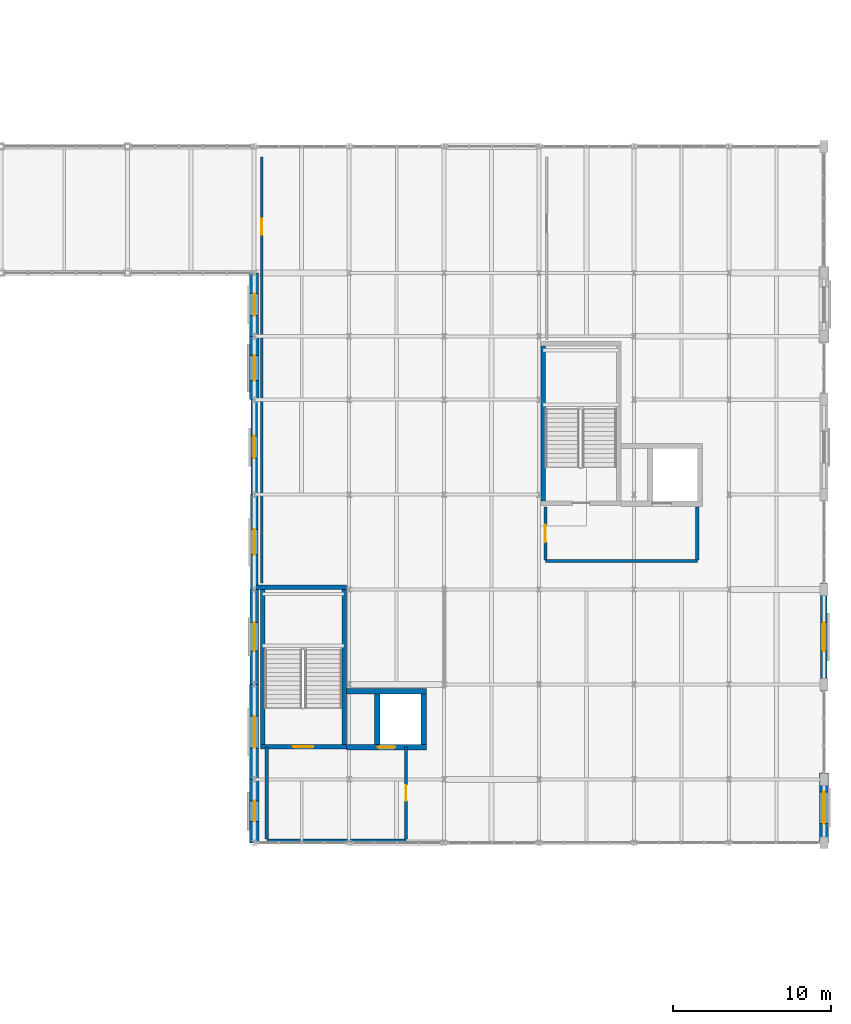
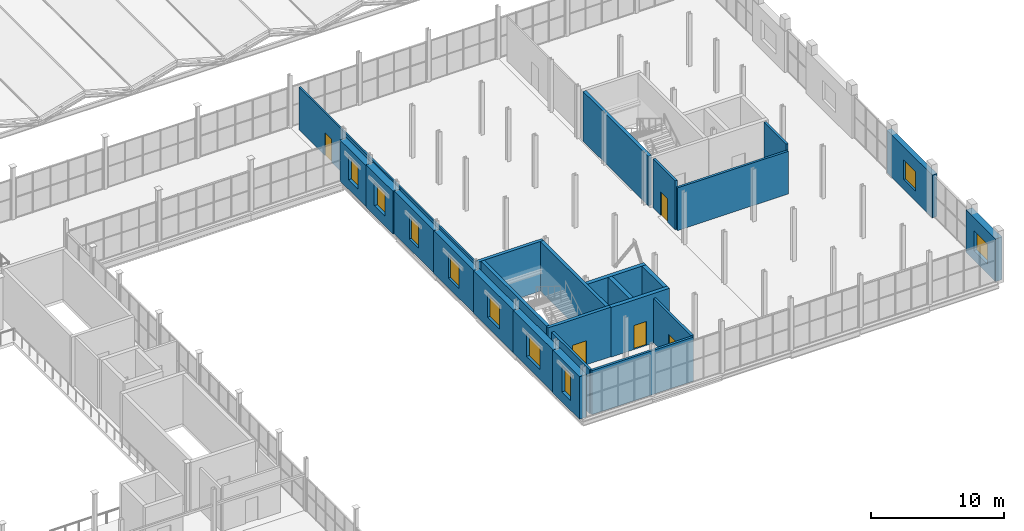
# One storey, part 102 of 114: 25 walls, 9 windows, 5 doors, 14 openings.
"""IFC4 building model written with IfcOpenShell, lengths in metres."""

from ifc_helpers import new_model, si_unit, direction, frame, frame_2d, origin, place, context, subcontext, project, spatial, rectangle, extrude, material, layer, layer_set, type_object, element, fill, save


model = new_model("IFC4")

# Units and contexts
model_context = context("Model", 3, precision=1e-05, world=origin(), true_north=direction((0.0, 1.0)))
body_context = subcontext(model_context, "Body", "Model", "MODEL_VIEW")
ifc_project = project(units=[si_unit("LENGTHUNIT", "METRE"), si_unit("AREAUNIT", "SQUARE_METRE"), si_unit("VOLUMEUNIT", "CUBIC_METRE"), si_unit("PLANEANGLEUNIT", "RADIAN"), si_unit("MASSUNIT", "GRAM", prefix="KILO")], contexts=[model_context])

# Site, building, storey
site_placement = place(None, origin())
site = spatial("IfcSite", under=ifc_project, at=site_placement, CompositionType="ELEMENT")
building_placement = place(site_placement, origin())
building = spatial("IfcBuilding", under=site, at=building_placement, Name="Verrall Gate Interchange", CompositionType="ELEMENT")
storey_placement = place(building_placement, frame((0.0, 0.0, 6.60009765625)))
storey = spatial("IfcBuildingStorey", under=building, at=storey_placement, Name="L02", CompositionType="ELEMENT", Elevation=6.60009765625)

# Wall, opening, window
ifc_material_1 = material(Name="Tyndall Dolomitic Limestone Ashlar Cavity Assembly (U=0.18)", Category="masonry")
ifc_layer_1 = layer(ifc_material_1, 0.419921875)
ifc_layer_set_1 = layer_set([ifc_layer_1], Name="Tyndall Dolomitic Limestone Ashlar Cavity Assembly (U=0.18)")
wall_type_1 = type_object("IfcWallType", Name="EW-01 Exterior Solid Wall 420", PredefinedType="SOLIDWALL", material=ifc_layer_set_1)
wall_1_placement = place(storey_placement, frame((168.0, 21.580078125, 0.0), z_axis=(0.0, 0.0, 1.0), x_axis=(0.0, 1.0, 0.0)))
wall_1 = element("IfcWall", 1, at=wall_1_placement, inside=storey, type_object=wall_type_1, Name="L02 Classical Limestone Facade Wall 062", PredefinedType="SOLIDWALL", context=body_context, shape_type="SweptSolid", body=[
    extrude(rectangle(XDim=6.83984375, YDim=0.419921875, at=frame_2d((3.419921875, 0.0))), origin(), (0.0, 0.0, 1.0), 3.910888671875),
])
opening_1_placement = place(wall_1_placement, frame((2.52001953125, 0.0, 0.89990234375)))
opening_1 = element("IfcOpeningElement", 2, at=opening_1_placement, cuts=wall_1, Name="Opening WN-05", PredefinedType="OPENING", context=body_context, shape_type="SweptSolid", body=[
    extrude(rectangle(XDim=1.800048828125, YDim=1.800048828125, at=frame_2d((0.89990234375, 0.89990234375))), frame((0.0, 0.224853515625, 0.0), z_axis=(0.0, -1.0, 0.0), x_axis=(1.0, 0.0, 0.0)), (0.0, 0.0, 1.0), 0.44970703125),
])
ifc_material_2 = material(Name="Triple-Glazed Low-E Argon Bronze-Clad Window Unit (U=1.40)", Category="glass")
window_type_1 = type_object("IfcWindowType", Name="WN-05 Classical Deep-Reveal Window 1800x1800", PartitioningType="SINGLE_PANEL", PredefinedType="WINDOW", material=ifc_material_2)
window_1_placement = place(opening_1_placement, origin())
window_1 = element("IfcWindow", 3, at=window_1_placement, inside=storey, type_object=window_type_1, Name="L02 Classical Window 020 (WN-05)", OverallHeight=1.800048828125, OverallWidth=1.800048828125, PartitioningType="SINGLE_PANEL", PredefinedType="WINDOW", context=body_context, shape_type="SweptSolid", body=[
    extrude(rectangle(XDim=1.800048828125, YDim=1.800048828125, at=frame_2d((0.89990234375, 0.89990234375))), frame((0.0, 0.030029296875, 0.0), z_axis=(0.0, -1.0, 0.0), x_axis=(1.0, 0.0, 0.0)), (0.0, 0.0, 1.0), 0.06005859375),
])
fill(opening_1, window_1)

wall_2_placement = place(storey_placement, frame((132.0, 40.008056640625, 0.0), z_axis=(0.0, 0.0, 1.0), x_axis=(0.0, -1.0, 0.0)))
wall_2 = element("IfcWall", 4, at=wall_2_placement, inside=storey, type_object=wall_type_1, Name="L02 Classical Limestone Facade Wall 067", PredefinedType="SOLIDWALL", context=body_context, shape_type="SweptSolid", body=[
    extrude(rectangle(XDim=6.01611328125, YDim=0.419921875, at=frame_2d((3.008056640625, 0.0))), origin(), (0.0, 0.0, 1.0), 3.910888671875),
])
opening_2_placement = place(wall_2_placement, frame((2.30810546875, 0.0, 0.89990234375)))
opening_2 = element("IfcOpeningElement", 5, at=opening_2_placement, cuts=wall_2, Name="Opening WN-10", PredefinedType="OPENING", context=body_context, shape_type="SweptSolid", body=[
    extrude(rectangle(XDim=1.39990234375, YDim=2.10009765625, at=frame_2d((0.699951171875, 1.050048828125))), frame((0.0, 0.224853515625, 0.0), z_axis=(0.0, -1.0, 0.0), x_axis=(1.0, 0.0, 0.0)), (0.0, 0.0, 1.0), 0.44970703125),
])
ifc_material_3 = material(Name="Triple-Glazed Low-E Argon Bronze-Clad Window Unit (U=1.40)", Category="glass")
window_type_2 = type_object("IfcWindowType", Name="WN-10 Classical Deep-Reveal Window 1400x2100", PartitioningType="SINGLE_PANEL", PredefinedType="WINDOW", material=ifc_material_3)
window_2_placement = place(opening_2_placement, origin())
window_2 = element("IfcWindow", 6, at=window_2_placement, inside=storey, type_object=window_type_2, Name="L02 Classical Window 025 (WN-10)", OverallHeight=2.10009765625, OverallWidth=1.39990234375, PartitioningType="SINGLE_PANEL", PredefinedType="WINDOW", context=body_context, shape_type="SweptSolid", body=[
    extrude(rectangle(XDim=1.39990234375, YDim=2.10009765625, at=frame_2d((0.699951171875, 1.050048828125))), frame((0.0, 0.030029296875, 0.0), z_axis=(0.0, -1.0, 0.0), x_axis=(1.0, 0.0, 0.0)), (0.0, 0.0, 1.0), 0.06005859375),
])
fill(opening_2, window_2)

ifc_material_4 = material(Name="Tyndall Dolomitic Limestone Ashlar Cavity Assembly (U=0.18)", Category="masonry")
ifc_layer_2 = layer(ifc_material_4, 0.4599609375)
ifc_layer_set_2 = layer_set([ifc_layer_2], Name="Tyndall Dolomitic Limestone Ashlar Cavity Assembly (U=0.18)")
wall_type_2 = type_object("IfcWallType", Name="EW-02 Exterior Solid Wall 460", PredefinedType="SOLIDWALL", material=ifc_layer_set_2)
wall_3_placement = place(storey_placement, frame((132.0, 34.008056640625, 0.0), z_axis=(0.0, 0.0, 1.0), x_axis=(0.0, -1.0, 0.0)))
wall_3 = element("IfcWall", 7, at=wall_3_placement, inside=storey, type_object=wall_type_2, Name="L02 Classical Limestone Facade Wall 068", PredefinedType="SOLIDWALL", context=body_context, shape_type="SweptSolid", body=[
    extrude(rectangle(XDim=6.01611328125, YDim=0.4599609375, at=frame_2d((3.008056640625, 0.0))), origin(), (0.0, 0.0, 1.0), 3.910888671875),
])
opening_3_placement = place(wall_3_placement, frame((2.2080078125, 0.0, 0.89990234375)))
opening_3 = element("IfcOpeningElement", 8, at=opening_3_placement, cuts=wall_3, Name="Opening WN-11", PredefinedType="OPENING", context=body_context, shape_type="SweptSolid", body=[
    extrude(rectangle(XDim=1.60009765625, YDim=2.10009765625, at=frame_2d((0.800048828125, 1.050048828125))), frame((0.0, 0.244873046875, 0.0), z_axis=(0.0, -1.0, 0.0), x_axis=(1.0, 0.0, 0.0)), (0.0, 0.0, 1.0), 0.48974609375),
])
ifc_material_5 = material(Name="Triple-Glazed Low-E Argon Bronze-Clad Window Unit (U=1.40)", Category="glass")
window_type_3 = type_object("IfcWindowType", Name="WN-11 Classical Deep-Reveal Window 1600x2100", PartitioningType="SINGLE_PANEL", PredefinedType="WINDOW", material=ifc_material_5)
window_3_placement = place(opening_3_placement, origin())
window_3 = element("IfcWindow", 9, at=window_3_placement, inside=storey, type_object=window_type_3, Name="L02 Classical Window 026 (WN-11)", OverallHeight=2.10009765625, OverallWidth=1.60009765625, PartitioningType="SINGLE_PANEL", PredefinedType="WINDOW", context=body_context, shape_type="SweptSolid", body=[
    extrude(rectangle(XDim=1.60009765625, YDim=2.10009765625, at=frame_2d((0.800048828125, 1.050048828125))), frame((0.0, 0.030029296875, 0.0), z_axis=(0.0, -1.0, 0.0), x_axis=(1.0, 0.0, 0.0)), (0.0, 0.0, 1.0), 0.06005859375),
])
fill(opening_3, window_3)

ifc_material_6 = material(Name="Prairie Charcoal Granite Plinth Rainscreen Assembly (U=0.18)", Category="masonry")
ifc_layer_3 = layer(ifc_material_6, 0.52001953125)
ifc_layer_set_3 = layer_set([ifc_layer_3], Name="Prairie Charcoal Granite Plinth Rainscreen Assembly (U=0.18)")
wall_type_3 = type_object("IfcWallType", Name="EW-03 Exterior Solid Wall 520", PredefinedType="SOLIDWALL", material=ifc_layer_set_3)
wall_4_placement = place(storey_placement, frame((132.0, 28.008056640625, 0.0), z_axis=(0.0, 0.0, 1.0), x_axis=(0.0, -1.0, 0.0)))
wall_4 = element("IfcWall", 10, at=wall_4_placement, inside=storey, type_object=wall_type_3, Name="L02 Classical Limestone Facade Wall 069", PredefinedType="SOLIDWALL", context=body_context, shape_type="SweptSolid", body=[
    extrude(rectangle(XDim=6.01611328125, YDim=0.52001953125, at=frame_2d((3.008056640625, 0.0))), origin(), (0.0, 0.0, 1.0), 3.910888671875),
])
opening_4_placement = place(wall_4_placement, frame((2.10791015625, 0.0, 0.89990234375)))
opening_4 = element("IfcOpeningElement", 11, at=opening_4_placement, cuts=wall_4, Name="Opening WN-12", PredefinedType="OPENING", context=body_context, shape_type="SweptSolid", body=[
    extrude(rectangle(XDim=1.800048828125, YDim=2.10009765625, at=frame_2d((0.89990234375, 1.050048828125))), frame((0.0, 0.27490234375, 0.0), z_axis=(0.0, -1.0, 0.0), x_axis=(1.0, 0.0, 0.0)), (0.0, 0.0, 1.0), 0.5498046875),
])
ifc_material_7 = material(Name="Triple-Glazed Low-E Argon Bronze-Clad Window Unit (U=1.40)", Category="glass")
window_type_4 = type_object("IfcWindowType", Name="WN-12 Classical Deep-Reveal Window 1800x2100", PartitioningType="SINGLE_PANEL", PredefinedType="WINDOW", material=ifc_material_7)
window_4_placement = place(opening_4_placement, origin())
window_4 = element("IfcWindow", 12, at=window_4_placement, inside=storey, type_object=window_type_4, Name="L02 Classical Window 027 (WN-12)", OverallHeight=2.10009765625, OverallWidth=1.800048828125, PartitioningType="SINGLE_PANEL", PredefinedType="WINDOW", context=body_context, shape_type="SweptSolid", body=[
    extrude(rectangle(XDim=1.800048828125, YDim=2.10009765625, at=frame_2d((0.89990234375, 1.050048828125))), frame((0.0, 0.030029296875, 0.0), z_axis=(0.0, -1.0, 0.0), x_axis=(1.0, 0.0, 0.0)), (0.0, 0.0, 1.0), 0.06005859375),
])
fill(opening_4, window_4)

ifc_material_8 = material(Name="Tyndall Dolomitic Limestone Ashlar Cavity Assembly (U=0.18)", Category="masonry")
ifc_layer_4 = layer(ifc_material_8, 0.56005859375)
ifc_layer_set_4 = layer_set([ifc_layer_4], Name="Tyndall Dolomitic Limestone Ashlar Cavity Assembly (U=0.18)")
wall_type_4 = type_object("IfcWallType", Name="EW-04 Exterior Solid Wall 560", PredefinedType="SOLIDWALL", material=ifc_layer_set_4)
wall_5_placement = place(storey_placement, frame((168.0, 11.991943359375, 0.0), z_axis=(0.0, 0.0, 1.0), x_axis=(0.0, 1.0, 0.0)))
wall_5 = element("IfcWall", 13, at=wall_5_placement, inside=storey, type_object=wall_type_4, Name="L02 Classical Limestone Facade Wall 061", PredefinedType="SOLIDWALL", context=body_context, shape_type="SweptSolid", body=[
    extrude(rectangle(XDim=4.427978515625, YDim=0.56005859375, at=frame_2d((2.2138671875, 0.0))), origin(), (0.0, 0.0, 1.0), 3.910888671875),
])
opening_5_placement = place(wall_5_placement, frame((1.214111328125, 0.0, 0.89990234375)))
opening_5 = element("IfcOpeningElement", 14, at=opening_5_placement, cuts=wall_5, Name="Opening WN-06", PredefinedType="OPENING", context=body_context, shape_type="SweptSolid", body=[
    extrude(rectangle(XDim=2.0, YDim=1.800048828125, at=frame_2d((1.0, 0.89990234375))), frame((0.0, 0.294921875, 0.0), z_axis=(0.0, -1.0, 0.0), x_axis=(1.0, 0.0, 0.0)), (0.0, 0.0, 1.0), 0.58984375),
])
ifc_material_9 = material(Name="Triple-Glazed Low-E Argon Bronze-Clad Window Unit (U=1.40)", Category="glass")
window_type_5 = type_object("IfcWindowType", Name="WN-06 Classical Deep-Reveal Window 2000x1800", PartitioningType="SINGLE_PANEL", PredefinedType="WINDOW", material=ifc_material_9)
window_5_placement = place(opening_5_placement, origin())
window_5 = element("IfcWindow", 15, at=window_5_placement, inside=storey, type_object=window_type_5, Name="L02 Classical Window 019 (WN-06)", OverallHeight=1.800048828125, OverallWidth=2.0, PartitioningType="SINGLE_PANEL", PredefinedType="WINDOW", context=body_context, shape_type="SweptSolid", body=[
    extrude(rectangle(XDim=2.0, YDim=1.800048828125, at=frame_2d((1.0, 0.89990234375))), frame((0.0, 0.030029296875, 0.0), z_axis=(0.0, -1.0, 0.0), x_axis=(1.0, 0.0, 0.0)), (0.0, 0.0, 1.0), 0.06005859375),
])
fill(opening_5, window_5)

wall_6_placement = place(storey_placement, frame((132.0, 48.008056640625, 0.0), z_axis=(0.0, 0.0, 1.0), x_axis=(0.0, -1.0, 0.0)))
wall_6 = element("IfcWall", 16, at=wall_6_placement, inside=storey, type_object=wall_type_4, Name="L02 Classical Limestone Facade Wall 065", PredefinedType="SOLIDWALL", context=body_context, shape_type="SweptSolid", body=[
    extrude(rectangle(XDim=4.01611328125, YDim=0.56005859375, at=frame_2d((2.008056640625, 0.0))), origin(), (0.0, 0.0, 1.0), 3.7568359375),
])
opening_6_placement = place(wall_6_placement, frame((1.30810546875, 0.0, 0.89990234375)))
opening_6 = element("IfcOpeningElement", 17, at=opening_6_placement, cuts=wall_6, Name="Opening WN-10", PredefinedType="OPENING", context=body_context, shape_type="SweptSolid", body=[
    extrude(rectangle(XDim=1.39990234375, YDim=2.10009765625, at=frame_2d((0.699951171875, 1.050048828125))), frame((0.0, 0.294921875, 0.0), z_axis=(0.0, -1.0, 0.0), x_axis=(1.0, 0.0, 0.0)), (0.0, 0.0, 1.0), 0.58984375),
])
window_6_placement = place(opening_6_placement, origin())
window_6 = element("IfcWindow", 18, at=window_6_placement, inside=storey, type_object=window_type_2, Name="L02 Classical Window 023 (WN-10)", OverallHeight=2.10009765625, OverallWidth=1.39990234375, PartitioningType="SINGLE_PANEL", PredefinedType="WINDOW", context=body_context, shape_type="SweptSolid", body=[
    extrude(rectangle(XDim=1.39990234375, YDim=2.10009765625, at=frame_2d((0.699951171875, 1.050048828125))), frame((0.0, 0.030029296875, 0.0), z_axis=(0.0, -1.0, 0.0), x_axis=(1.0, 0.0, 0.0)), (0.0, 0.0, 1.0), 0.06005859375),
])
fill(opening_6, window_6)

wall_7_placement = place(storey_placement, frame((132.0, 22.008056640625, 0.0), z_axis=(0.0, 0.0, 1.0), x_axis=(0.0, -1.0, 0.0)))
wall_7 = element("IfcWall", 19, at=wall_7_placement, inside=storey, type_object=wall_type_4, Name="L02 Classical Limestone Facade Wall 070", PredefinedType="SOLIDWALL", context=body_context, shape_type="SweptSolid", body=[
    extrude(rectangle(XDim=6.01611328125, YDim=0.56005859375, at=frame_2d((3.008056640625, 0.0))), origin(), (0.0, 0.0, 1.0), 3.910888671875),
])
opening_7_placement = place(wall_7_placement, frame((2.008056640625, 0.0, 0.89990234375)))
opening_7 = element("IfcOpeningElement", 20, at=opening_7_placement, cuts=wall_7, Name="Opening WN-13", PredefinedType="OPENING", context=body_context, shape_type="SweptSolid", body=[
    extrude(rectangle(XDim=2.0, YDim=2.10009765625, at=frame_2d((1.0, 1.050048828125))), frame((0.0, 0.294921875, 0.0), z_axis=(0.0, -1.0, 0.0), x_axis=(1.0, 0.0, 0.0)), (0.0, 0.0, 1.0), 0.58984375),
])
ifc_material_10 = material(Name="Triple-Glazed Low-E Argon Bronze-Clad Window Unit (U=1.40)", Category="glass")
window_type_6 = type_object("IfcWindowType", Name="WN-13 Classical Deep-Reveal Window 2000x2100", PartitioningType="SINGLE_PANEL", PredefinedType="WINDOW", material=ifc_material_10)
window_7_placement = place(opening_7_placement, origin())
window_7 = element("IfcWindow", 21, at=window_7_placement, inside=storey, type_object=window_type_6, Name="L02 Classical Window 028 (WN-13)", OverallHeight=2.10009765625, OverallWidth=2.0, PartitioningType="SINGLE_PANEL", PredefinedType="WINDOW", context=body_context, shape_type="SweptSolid", body=[
    extrude(rectangle(XDim=2.0, YDim=2.10009765625, at=frame_2d((1.0, 1.050048828125))), frame((0.0, 0.030029296875, 0.0), z_axis=(0.0, -1.0, 0.0), x_axis=(1.0, 0.0, 0.0)), (0.0, 0.0, 1.0), 0.06005859375),
])
fill(opening_7, window_7)

ifc_material_11 = material(Name="Prairie Charcoal Granite Plinth Rainscreen Assembly (U=0.18)", Category="masonry")
ifc_layer_5 = layer(ifc_material_11, 0.6201171875)
ifc_layer_set_5 = layer_set([ifc_layer_5], Name="Prairie Charcoal Granite Plinth Rainscreen Assembly (U=0.18)")
wall_type_5 = type_object("IfcWallType", Name="EW-05 Exterior Solid Wall 620", PredefinedType="SOLIDWALL", material=ifc_layer_set_5)
wall_8_placement = place(storey_placement, frame((132.0, 44.008056640625, 0.0), z_axis=(0.0, 0.0, 1.0), x_axis=(0.0, -1.0, 0.0)))
wall_8 = element("IfcWall", 22, at=wall_8_placement, inside=storey, type_object=wall_type_5, Name="L02 Classical Limestone Facade Wall 066", PredefinedType="SOLIDWALL", context=body_context, shape_type="SweptSolid", body=[
    extrude(rectangle(XDim=4.01611328125, YDim=0.6201171875, at=frame_2d((2.008056640625, 0.0))), origin(), (0.0, 0.0, 1.0), 3.910888671875),
])
opening_8_placement = place(wall_8_placement, frame((1.2080078125, 0.0, 0.89990234375)))
opening_8 = element("IfcOpeningElement", 23, at=opening_8_placement, cuts=wall_8, Name="Opening WN-11", PredefinedType="OPENING", context=body_context, shape_type="SweptSolid", body=[
    extrude(rectangle(XDim=1.60009765625, YDim=2.10009765625, at=frame_2d((0.800048828125, 1.050048828125))), frame((0.0, 0.324951171875, 0.0), z_axis=(0.0, -1.0, 0.0), x_axis=(1.0, 0.0, 0.0)), (0.0, 0.0, 1.0), 0.64990234375),
])
window_8_placement = place(opening_8_placement, origin())
window_8 = element("IfcWindow", 24, at=window_8_placement, inside=storey, type_object=window_type_3, Name="L02 Classical Window 024 (WN-11)", OverallHeight=2.10009765625, OverallWidth=1.60009765625, PartitioningType="SINGLE_PANEL", PredefinedType="WINDOW", context=body_context, shape_type="SweptSolid", body=[
    extrude(rectangle(XDim=1.60009765625, YDim=2.10009765625, at=frame_2d((0.800048828125, 1.050048828125))), frame((0.0, 0.030029296875, 0.0), z_axis=(0.0, -1.0, 0.0), x_axis=(1.0, 0.0, 0.0)), (0.0, 0.0, 1.0), 0.06005859375),
])
fill(opening_8, window_8)

wall_9_placement = place(storey_placement, frame((132.0, 16.008056640625, 0.0), z_axis=(0.0, 0.0, 1.0), x_axis=(0.0, -1.0, 0.0)))
wall_9 = element("IfcWall", 25, at=wall_9_placement, inside=storey, type_object=wall_type_5, Name="L02 Classical Limestone Facade Wall 071", PredefinedType="SOLIDWALL", context=body_context, shape_type="SweptSolid", body=[
    extrude(rectangle(XDim=4.01611328125, YDim=0.6201171875, at=frame_2d((2.008056640625, 0.0))), origin(), (0.0, 0.0, 1.0), 3.910888671875),
])
opening_9_placement = place(wall_9_placement, frame((1.35791015625, 0.0, 0.89990234375)))
opening_9 = element("IfcOpeningElement", 26, at=opening_9_placement, cuts=wall_9, Name="Opening WN-17", PredefinedType="OPENING", context=body_context, shape_type="SweptSolid", body=[
    extrude(rectangle(XDim=1.300048828125, YDim=2.39990234375, at=frame_2d((0.64990234375, 1.199951171875))), frame((0.0, 0.324951171875, 0.0), z_axis=(0.0, -1.0, 0.0), x_axis=(1.0, 0.0, 0.0)), (0.0, 0.0, 1.0), 0.64990234375),
])
ifc_material_12 = material(Name="Triple-Glazed Low-E Argon Bronze-Clad Window Unit (U=1.40)", Category="glass")
window_type_7 = type_object("IfcWindowType", Name="WN-17 Classical Deep-Reveal Window 1300x2400", PartitioningType="SINGLE_PANEL", PredefinedType="WINDOW", material=ifc_material_12)
window_9_placement = place(opening_9_placement, origin())
window_9 = element("IfcWindow", 27, at=window_9_placement, inside=storey, type_object=window_type_7, Name="L02 Classical Window 029 (WN-17)", OverallHeight=2.39990234375, OverallWidth=1.300048828125, PartitioningType="SINGLE_PANEL", PredefinedType="WINDOW", context=body_context, shape_type="SweptSolid", body=[
    extrude(rectangle(XDim=1.300048828125, YDim=2.39990234375, at=frame_2d((0.64990234375, 1.199951171875))), frame((0.0, 0.030029296875, 0.0), z_axis=(0.0, -1.0, 0.0), x_axis=(1.0, 0.0, 0.0)), (0.0, 0.0, 1.0), 0.06005859375),
])
fill(opening_9, window_9)

# Walls
ifc_material_13 = material(Name="Fire-Rated Type X Gypsum Stud Partition Assembly (60 min)", Category="gypsum")
ifc_layer_6 = layer(ifc_material_13, 0.199951171875)
ifc_layer_set_6 = layer_set([ifc_layer_6], Name="Fire-Rated Type X Gypsum Stud Partition Assembly (60 min)")
wall_type_6 = type_object("IfcWallType", Name="IW-01 Interior Partition Wall 200", PredefinedType="PARTITIONING", material=ifc_layer_set_6)
wall_10_placement = place(storey_placement, frame((132.800048828125, 12.14990234375, 0.0), z_axis=(0.0, 0.0, 1.0), x_axis=(1.0, 0.0, 0.0)))
element("IfcWall", 28, at=wall_10_placement, inside=storey, type_object=wall_type_6, Name="L02 Core C8 Lobby South Rated Wall", PredefinedType="PARTITIONING", context=body_context, shape_type="SweptSolid", body=[
    extrude(rectangle(XDim=8.800048828125, YDim=0.199951171875, at=frame_2d((4.39990234375, 0.0))), origin(), (0.0, 0.0, 1.0), 4.039794921875),
])
wall_11_placement = place(storey_placement, frame((132.800048828125, 18.050048828125, 0.0), z_axis=(0.0, 0.0, 1.0), x_axis=(0.0, -1.0, 0.0)))
element("IfcWall", 29, at=wall_11_placement, inside=storey, type_object=wall_type_6, Name="L02 Core C8 Lobby West Rated Wall", PredefinedType="PARTITIONING", context=body_context, shape_type="SweptSolid", body=[
    extrude(rectangle(XDim=5.820068359375, YDim=0.199951171875, at=frame_2d((2.91015625, 0.0))), origin(), (0.0, 0.0, 1.0), 4.039794921875),
])

# Wall, opening, door
wall_12_placement = place(storey_placement, frame((141.60009765625, 12.22998046875, 0.0), z_axis=(0.0, 0.0, 1.0), x_axis=(0.0, 1.0, 0.0)))
wall_12 = element("IfcWall", 30, at=wall_12_placement, inside=storey, type_object=wall_type_6, Name="L02 Core C8 Lobby East Rated Wall", PredefinedType="PARTITIONING", context=body_context, shape_type="SweptSolid", body=[
    extrude(rectangle(XDim=5.820068359375, YDim=0.199951171875, at=frame_2d((2.91015625, 0.0))), origin(), (0.0, 0.0, 1.0), 4.093994140625),
])
opening_10_placement = place(wall_12_placement, frame((2.409912109375, 0.0, 0.0)))
opening_10 = element("IfcOpeningElement", 31, at=opening_10_placement, cuts=wall_12, Name="Opening LBD095", PredefinedType="OPENING", context=body_context, shape_type="SweptSolid", body=[
    extrude(rectangle(XDim=1.0, YDim=2.14990234375, at=frame_2d((0.5, 1.074951171875))), frame((0.0, 0.11474609375, 0.0), z_axis=(0.0, -1.0, 0.0), x_axis=(1.0, 0.0, 0.0)), (0.0, 0.0, 1.0), 0.229736328125),
])
ifc_material_14 = material(Name="Hollow-Metal Fire-Rated Door Assembly", Category="metal")
door_type_1 = type_object("IfcDoorType", Name="ID-05 Interior Swing Door 1000x2150", OperationType="NOTDEFINED", PredefinedType="DOOR", material=ifc_material_14)
door_1_placement = place(opening_10_placement, origin())
door_1 = element("IfcDoor", 32, at=door_1_placement, inside=storey, type_object=door_type_1, Name="L02 Core C8 Lobby Fire Door LBD095", OperationType="SINGLE_SWING_LEFT", OverallHeight=2.14990234375, OverallWidth=1.0, PredefinedType="DOOR", context=body_context, shape_type="SweptSolid", body=[
    extrude(rectangle(XDim=1.0, YDim=2.14990234375, at=frame_2d((0.5, 1.074951171875))), frame((0.0, 0.02490234375, 0.0), z_axis=(0.0, -1.0, 0.0), x_axis=(1.0, 0.0, 0.0)), (0.0, 0.0, 1.0), 0.050048828125),
])
fill(opening_10, door_1)

# Wall
wall_13_placement = place(storey_placement, frame((150.39990234375, 29.800048828125, 0.0), z_axis=(0.0, 0.0, 1.0), x_axis=(1.0, 0.0, 0.0)))
element("IfcWall", 33, at=wall_13_placement, inside=storey, type_object=wall_type_6, Name="L02 Core C9 Lobby South Rated Wall", PredefinedType="PARTITIONING", context=body_context, shape_type="SweptSolid", body=[
    extrude(rectangle(XDim=9.60009765625, YDim=0.199951171875, at=frame_2d((4.800048828125, 0.0))), origin(), (0.0, 0.0, 1.0), 3.910888671875),
])

# Wall, opening, door
wall_14_placement = place(storey_placement, frame((150.39990234375, 33.199951171875, 0.0), z_axis=(0.0, 0.0, 1.0), x_axis=(0.0, -1.0, 0.0)))
wall_14 = element("IfcWall", 34, at=wall_14_placement, inside=storey, type_object=wall_type_6, Name="L02 Core C9 Lobby West Rated Wall", PredefinedType="PARTITIONING", context=body_context, shape_type="SweptSolid", body=[
    extrude(rectangle(XDim=3.320068359375, YDim=0.199951171875, at=frame_2d((1.66015625, 0.0))), origin(), (0.0, 0.0, 1.0), 4.47998046875),
])
opening_11_placement = place(wall_14_placement, frame((1.110107421875, 0.0, 0.0)))
opening_11 = element("IfcOpeningElement", 35, at=opening_11_placement, cuts=wall_14, Name="Opening LBD106", PredefinedType="OPENING", context=body_context, shape_type="SweptSolid", body=[
    extrude(rectangle(XDim=1.10009765625, YDim=2.14990234375, at=frame_2d((0.550048828125, 1.074951171875))), frame((0.0, 0.11474609375, 0.0), z_axis=(0.0, -1.0, 0.0), x_axis=(1.0, 0.0, 0.0)), (0.0, 0.0, 1.0), 0.229736328125),
])
ifc_material_15 = material(Name="Hollow-Metal Fire-Rated Door Assembly", Category="metal")
door_type_2 = type_object("IfcDoorType", Name="ID-06 Interior Swing Door 1100x2150", OperationType="NOTDEFINED", PredefinedType="DOOR", material=ifc_material_15)
door_2_placement = place(opening_11_placement, origin())
door_2 = element("IfcDoor", 36, at=door_2_placement, inside=storey, type_object=door_type_2, Name="L02 Core C9 Lobby Fire Door LBD106", OperationType="SINGLE_SWING_RIGHT", OverallHeight=2.14990234375, OverallWidth=1.10009765625, PredefinedType="DOOR", context=body_context, shape_type="SweptSolid", body=[
    extrude(rectangle(XDim=1.10009765625, YDim=2.14990234375, at=frame_2d((0.550048828125, 1.074951171875))), frame((0.0, 0.02490234375, 0.0), z_axis=(0.0, -1.0, 0.0), x_axis=(1.0, 0.0, 0.0)), (0.0, 0.0, 1.0), 0.050048828125),
])
fill(opening_11, door_2)

# Wall
wall_15_placement = place(storey_placement, frame((160.0, 29.8798828125, 0.0), z_axis=(0.0, 0.0, 1.0), x_axis=(0.0, 1.0, 0.0)))
element("IfcWall", 37, at=wall_15_placement, inside=storey, type_object=wall_type_6, Name="L02 Core C9 Lobby East Rated Wall", PredefinedType="PARTITIONING", context=body_context, shape_type="SweptSolid", body=[
    extrude(rectangle(XDim=3.320068359375, YDim=0.199951171875, at=frame_2d((1.66015625, 0.0))), origin(), (0.0, 0.0, 1.0), 4.47998046875),
])

# Wall, opening, door
ifc_material_16 = material(Name="Acoustic Steel-Stud Partition Assembly", Category="steel")
ifc_layer_7 = layer(ifc_material_16, 0.139892578125)
ifc_layer_set_7 = layer_set([ifc_layer_7], Name="Acoustic Steel-Stud Partition Assembly")
wall_type_7 = type_object("IfcWallType", Name="IW-03 Interior Partition Wall 140", PredefinedType="PARTITIONING", material=ifc_layer_set_7)
wall_16_placement = place(storey_placement, frame((132.47998046875, 28.409912109375, 0.0), z_axis=(0.0, 0.0, 1.0), x_axis=(0.0, 1.0, 0.0)))
wall_16 = element("IfcWall", 38, at=wall_16_placement, inside=storey, type_object=wall_type_7, Name="L02 Active Mobility Learning Studio Partition 047", PredefinedType="PARTITIONING", context=body_context, shape_type="SweptSolid", body=[
    extrude(rectangle(XDim=26.91015625, YDim=0.139892578125, at=frame_2d((13.455078125, 0.0))), origin(), (0.0, 0.0, 1.0), 3.910888671875),
])
opening_12_placement = place(wall_16_placement, frame((22.006591796875, 0.0, 0.0)))
opening_12 = element("IfcOpeningElement", 39, at=opening_12_placement, cuts=wall_16, Name="Opening D037", PredefinedType="OPENING", context=body_context, shape_type="SweptSolid", body=[
    extrude(rectangle(XDim=1.02001953125, YDim=2.10009765625, at=frame_2d((0.510009765625, 1.050048828125))), frame((0.0, 0.0849609375, 0.0), z_axis=(0.0, -1.0, 0.0), x_axis=(1.0, 0.0, 0.0)), (0.0, 0.0, 1.0), 0.169677734375),
])
ifc_material_17 = material(Name="Architectural Solid-Core Birch Acoustic Door Assembly", Category="wood")
door_type_3 = type_object("IfcDoorType", Name="ID-12 Interior Swing Door 1020x2100", OperationType="NOTDEFINED", PredefinedType="DOOR", material=ifc_material_17)
door_3_placement = place(opening_12_placement, origin())
door_3 = element("IfcDoor", 40, at=door_3_placement, inside=storey, type_object=door_type_3, Name="L02 Active Mobility Learning Studio Door D037", OperationType="SINGLE_SWING_RIGHT", OverallHeight=2.10009765625, OverallWidth=1.02001953125, PredefinedType="DOOR", context=body_context, shape_type="SweptSolid", body=[
    extrude(rectangle(XDim=1.02001953125, YDim=2.10009765625, at=frame_2d((0.510009765625, 1.050048828125))), frame((0.0, 0.02490234375, 0.0), z_axis=(0.0, -1.0, 0.0), x_axis=(1.0, 0.0, 0.0)), (0.0, 0.0, 1.0), 0.050048828125),
])
fill(opening_12, door_3)

ifc_material_18 = material(Name="Concrete CSA A23.1 40 MPa (Class N)", Category="concrete")
ifc_layer_8 = layer(ifc_material_18, 0.340087890625)
ifc_layer_set_8 = layer_set([ifc_layer_8], Name="Concrete CSA A23.1 40 MPa (Class N)")
wall_type_8 = type_object("IfcWallType", Name="SW-02 Core Shear Wall 340", PredefinedType="SHEAR", material=ifc_layer_set_8)
wall_17_placement = place(storey_placement, frame((137.820068359375, 18.030029296875, 0.0), z_axis=(0.0, 0.0, 1.0), x_axis=(1.0, 0.0, 0.0)))
wall_17 = element("IfcWall", 41, at=wall_17_placement, inside=storey, type_object=wall_type_8, Name="L02 Elevator EL-06 South Shaft Wall", PredefinedType="SHEAR", context=body_context, shape_type="SweptSolid", body=[
    extrude(rectangle(XDim=5.059814453125, YDim=0.340087890625, at=frame_2d((2.52978515625, 0.0))), origin(), (0.0, 0.0, 1.0), 4.539794921875),
])
opening_13_placement = place(wall_17_placement, frame((1.97998046875, 0.0, 0.0)))
opening_13 = element("IfcOpeningElement", 42, at=opening_13_placement, cuts=wall_17, Name="Opening LD-06-L02", PredefinedType="OPENING", context=body_context, shape_type="SweptSolid", body=[
    extrude(rectangle(XDim=1.10009765625, YDim=2.199951171875, at=frame_2d((0.550048828125, 1.10009765625))), frame((0.0, 0.18505859375, 0.0), z_axis=(0.0, -1.0, 0.0), x_axis=(1.0, 0.0, 0.0)), (0.0, 0.0, 1.0), 0.369873046875),
])
ifc_material_19 = material(Name="Stainless-Steel Elevator Landing Sliding Door Assembly", Category="steel")
door_type_4 = type_object("IfcDoorType", Name="LD-01 Elevator Sliding Landing Door 1100x2200", OperationType="NOTDEFINED", PredefinedType="DOOR", material=ifc_material_19)
door_4_placement = place(opening_13_placement, origin())
door_4 = element("IfcDoor", 43, at=door_4_placement, inside=storey, type_object=door_type_4, Name="L02 Elevator EL-06 Sliding Landing Door", OperationType="DOUBLE_DOOR_SLIDING", OverallHeight=2.199951171875, OverallWidth=1.10009765625, PredefinedType="DOOR", context=body_context, shape_type="SweptSolid", body=[
    extrude(rectangle(XDim=1.10009765625, YDim=2.199951171875, at=frame_2d((0.550048828125, 1.10009765625))), frame((0.0, 0.02490234375, 0.0), z_axis=(0.0, -1.0, 0.0), x_axis=(1.0, 0.0, 0.0)), (0.0, 0.0, 1.0), 0.050048828125),
])
fill(opening_13, door_4)

# Walls
wall_18_placement = place(storey_placement, frame((142.8798828125, 21.570068359375, 0.0), z_axis=(0.0, 0.0, 1.0), x_axis=(-1.0, 0.0, 0.0)))
element("IfcWall", 44, at=wall_18_placement, inside=storey, type_object=wall_type_8, Name="L02 Elevator EL-06 North Shaft Wall", PredefinedType="SHEAR", context=body_context, shape_type="SweptSolid", body=[
    extrude(rectangle(XDim=5.059814453125, YDim=0.340087890625, at=frame_2d((2.52978515625, 0.0))), origin(), (0.0, 0.0, 1.0), 4.539794921875),
])
for number, where, z_axis, x_axis, name in (
    (45, (139.77001953125, 21.39990234375, 0.0), (0.0, 0.0, 1.0), (0.0, -1.0, 0.0), "L02 Elevator EL-06 West Shaft Wall"),
    (46, (142.7099609375, 18.199951171875, 0.0), (0.0, 0.0, 1.0), (0.0, 1.0, 0.0), "L02 Elevator EL-06 East Shaft Wall"),
):
    element("IfcWall", number, at=place(storey_placement, frame(where, z_axis=z_axis, x_axis=x_axis)), inside=storey, type_object=wall_type_8, Name=name, PredefinedType="SHEAR", context=body_context, shape_type="SweptSolid", body=[
        extrude(rectangle(XDim=3.199951171875, YDim=0.340087890625, at=frame_2d((1.60009765625, 0.0))), origin(), (0.0, 0.0, 1.0), 4.539794921875),
    ])

# Wall, opening, door
ifc_material_20 = material(Name="Concrete CSA A23.1 40 MPa (Class N)", Category="concrete")
ifc_layer_9 = layer(ifc_material_20, 0.280029296875)
ifc_layer_set_9 = layer_set([ifc_layer_9], Name="Concrete CSA A23.1 40 MPa (Class N)")
wall_type_9 = type_object("IfcWallType", Name="SW-03 Core Shear Wall 280", PredefinedType="SHEAR", material=ifc_layer_set_9)
wall_19_placement = place(storey_placement, frame((132.39990234375, 18.06005859375, 0.0), z_axis=(0.0, 0.0, 1.0), x_axis=(1.0, 0.0, 0.0)))
wall_19 = element("IfcWall", 47, at=wall_19_placement, inside=storey, type_object=wall_type_9, Name="L02 Core C8 South Shear Wall", PredefinedType="SHEAR", context=body_context, shape_type="SweptSolid", body=[
    extrude(rectangle(XDim=5.420166015625, YDim=0.280029296875, at=frame_2d((2.7099609375, 0.0))), origin(), (0.0, 0.0, 1.0), 4.539794921875),
])
opening_14_placement = place(wall_19_placement, frame((2.0849609375, 0.0, 0.0)))
opening_14 = element("IfcOpeningElement", 48, at=opening_14_placement, cuts=wall_19, Name="Opening SD090", PredefinedType="OPENING", context=body_context, shape_type="SweptSolid", body=[
    extrude(rectangle(XDim=1.25, YDim=2.199951171875, at=frame_2d((0.625, 1.10009765625))), frame((0.0, 0.15478515625, 0.0), z_axis=(0.0, -1.0, 0.0), x_axis=(1.0, 0.0, 0.0)), (0.0, 0.0, 1.0), 0.309814453125),
])
ifc_material_21 = material(Name="Hollow-Metal Fire-Rated Door Assembly", Category="metal")
door_type_5 = type_object("IfcDoorType", Name="ID-03 Interior Swing Door 1250x2200", OperationType="NOTDEFINED", PredefinedType="DOOR", material=ifc_material_21)
door_5_placement = place(opening_14_placement, origin())
door_5 = element("IfcDoor", 49, at=door_5_placement, inside=storey, type_object=door_type_5, Name="L02 Stair ST-08 Fire Door SD090", OperationType="SINGLE_SWING_RIGHT", OverallHeight=2.199951171875, OverallWidth=1.25, PredefinedType="DOOR", context=body_context, shape_type="SweptSolid", body=[
    extrude(rectangle(XDim=1.25, YDim=2.199951171875, at=frame_2d((0.625, 1.10009765625))), frame((0.0, 0.02490234375, 0.0), z_axis=(0.0, -1.0, 0.0), x_axis=(1.0, 0.0, 0.0)), (0.0, 0.0, 1.0), 0.050048828125),
])
fill(opening_14, door_5)

# Walls
wall_20_placement = place(storey_placement, frame((137.820068359375, 28.139892578125, 0.0), z_axis=(0.0, 0.0, 1.0), x_axis=(-1.0, 0.0, 0.0)))
element("IfcWall", 50, at=wall_20_placement, inside=storey, type_object=wall_type_9, Name="L02 Core C8 North Shear Wall", PredefinedType="SHEAR", context=body_context, shape_type="SweptSolid", body=[
    extrude(rectangle(XDim=5.695068359375, YDim=0.280029296875, at=frame_2d((2.84765625, 0.0))), origin(), (0.0, 0.0, 1.0), 4.539794921875),
])
for number, where, z_axis, x_axis, name in (
    (51, (132.5400390625, 28.0, 0.0), (0.0, 0.0, 1.0), (0.0, -1.0, 0.0), "L02 Core C8 West Shear Wall"),
    (52, (137.679931640625, 18.199951171875, 0.0), (0.0, 0.0, 1.0), (0.0, 1.0, 0.0), "L02 Core C8 East Shear Wall"),
):
    element("IfcWall", number, at=place(storey_placement, frame(where, z_axis=z_axis, x_axis=x_axis)), inside=storey, type_object=wall_type_9, Name=name, PredefinedType="SHEAR", context=body_context, shape_type="SweptSolid", body=[
        extrude(rectangle(XDim=9.800048828125, YDim=0.280029296875, at=frame_2d((4.89990234375, 0.0))), origin(), (0.0, 0.0, 1.0), 4.539794921875),
    ])
wall_21_placement = place(storey_placement, frame((150.260009765625, 43.39990234375, 0.0), z_axis=(0.0, 0.0, 1.0), x_axis=(0.0, -1.0, 0.0)))
element("IfcWall", 53, at=wall_21_placement, inside=storey, type_object=wall_type_9, Name="L02 Core C9 West Shear Wall", PredefinedType="SHEAR", context=body_context, shape_type="SweptSolid", body=[
    extrude(rectangle(XDim=9.7998046875, YDim=0.280029296875, at=frame_2d((4.89990234375, 0.0))), origin(), (0.0, 0.0, 1.0), 4.539794921875),
])

save(model, "model.ifc")
